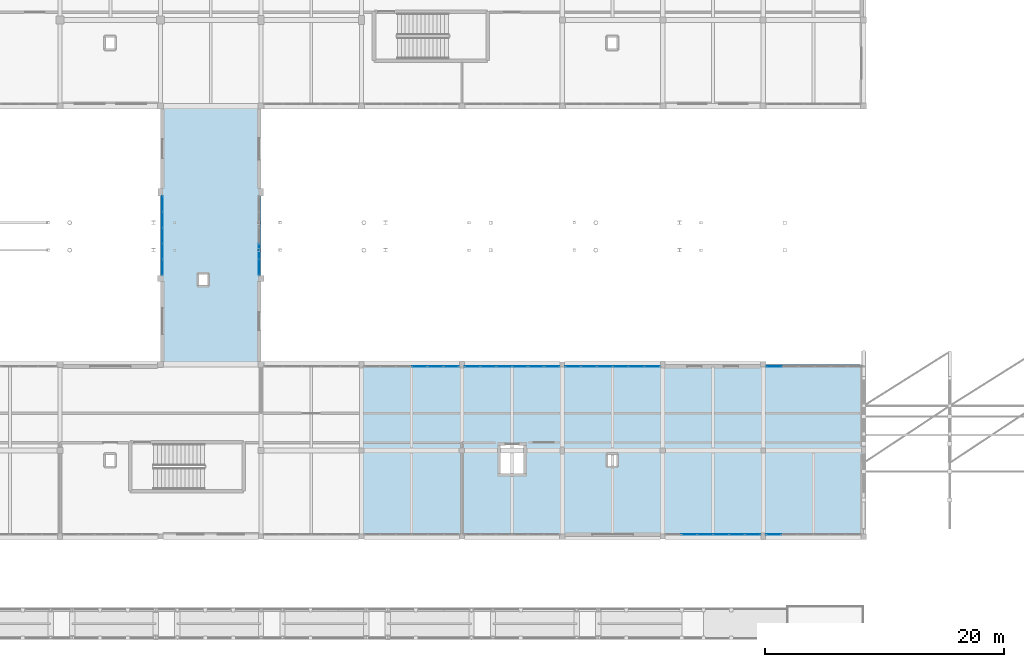
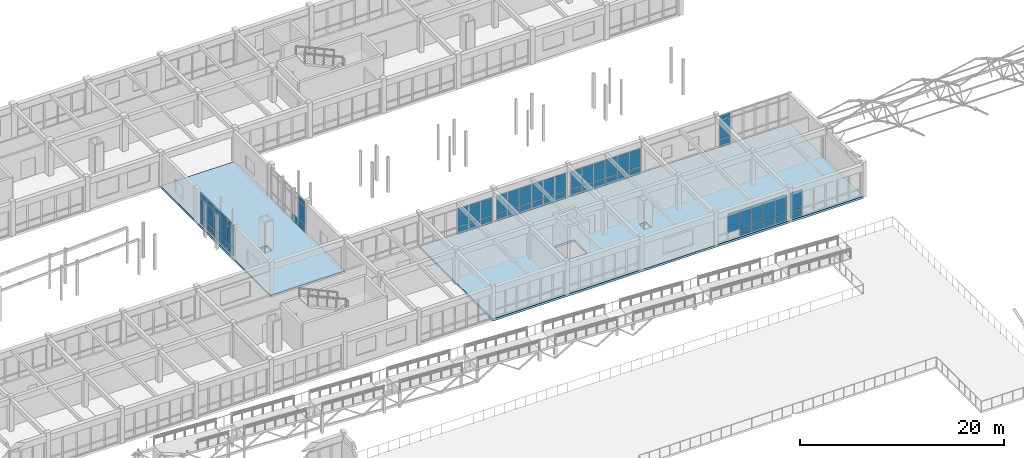
# One storey, part 66 of 89: 63 plates, 2 slabs, 8 elements without a shape of their own.
"""IFC4 building model written with IfcOpenShell, lengths in metres."""

from ifc_helpers import new_model, si_unit, direction, frame, origin, origin_2d, place, context, subcontext, project, spatial, polyline, rectangle, outline, extrude, material, layer, layer_set, type_object, element, aggregate, save


model = new_model("IFC4")

# Units and contexts
model_context = context("Model", 3, precision=1e-05, world=origin(), true_north=direction((0.0, 1.0)))
body_context = subcontext(model_context, "Body", "Model", "MODEL_VIEW")
ifc_project = project(units=[si_unit("LENGTHUNIT", "METRE"), si_unit("AREAUNIT", "SQUARE_METRE"), si_unit("VOLUMEUNIT", "CUBIC_METRE"), si_unit("PLANEANGLEUNIT", "RADIAN"), si_unit("MASSUNIT", "GRAM", prefix="KILO")], contexts=[model_context])

# Site, building, storey
site_placement = place(None, origin())
site = spatial("IfcSite", under=ifc_project, at=site_placement, CompositionType="ELEMENT")
building_placement = place(site_placement, origin())
building = spatial("IfcBuilding", under=site, at=building_placement, Name="Malvenik Polytechnic", CompositionType="ELEMENT")
storey_placement = place(building_placement, frame((0.0, 0.0, 13.5)))
storey = spatial("IfcBuildingStorey", under=building, at=storey_placement, Name="L03", CompositionType="ELEMENT", Elevation=13.5)

# Curtain wall, plates
ifc_material_1 = material(Name="Anodised aluminium 6060-T6", Category="aluminium")
curtain_wall_type_1 = type_object("IfcCurtainWallType", Name="ARC-CW-CW-04", PredefinedType="NOTDEFINED", material=ifc_material_1)
curtain_wall_1_placement = place(storey_placement, origin())
curtain_wall_1 = element("IfcCurtainWall", 1, at=curtain_wall_1_placement, inside=storey, type_object=curtain_wall_type_1, Name="Unitised Curtain Wall CW-04 L03 #167", PredefinedType="NOTDEFINED")
ifc_material_2 = material(Name="Insulated low-E double glazing 8-16-8", Category="glass")
ifc_layer_1 = layer(ifc_material_2, 0.028076171875)
ifc_layer_set_1 = layer_set([ifc_layer_1], Name="Insulated low-E double glazing 8-16-8")
plate_type_1 = type_object("IfcPlateType", Name="ARC-CWP-CP-GLZ28", PredefinedType="CURTAIN_PANEL", material=ifc_layer_set_1)
plate_1_placement = place(storey_placement, frame((75.77001953125, 101.728515625, 0.97998046875), z_axis=(0.0, 0.0, 1.0), x_axis=(0.0, 1.0, 0.0)))
plate_1 = element("IfcPlate", 2, at=plate_1_placement, type_object=plate_type_1, Name="CW-04 panel 1.2", PredefinedType="CURTAIN_PANEL", context=body_context, shape_type="SweptSolid", body=[
    extrude(rectangle(XDim=1.24072265625, YDim=0.028076171875, at=origin_2d()), origin(), (0.0, 0.0, 1.0), 2.199951171875),
])
plate_2_placement = place(storey_placement, frame((75.77001953125, 101.728515625, 3.239990234375), z_axis=(0.0, 0.0, 1.0), x_axis=(0.0, 1.0, 0.0)))
plate_2 = element("IfcPlate", 3, at=plate_2_placement, type_object=plate_type_1, Name="CW-04 panel 1.3", PredefinedType="CURTAIN_PANEL", context=body_context, shape_type="SweptSolid", body=[
    extrude(rectangle(XDim=1.24072265625, YDim=0.028076171875, at=origin_2d()), origin(), (0.0, 0.0, 1.0), 0.56005859375),
])
plate_3_placement = place(storey_placement, frame((75.77001953125, 103.044189453125, 0.97998046875), z_axis=(0.0, 0.0, 1.0), x_axis=(0.0, 1.0, 0.0)))
plate_3 = element("IfcPlate", 4, at=plate_3_placement, type_object=plate_type_1, Name="CW-04 panel 2.2", PredefinedType="CURTAIN_PANEL", context=body_context, shape_type="SweptSolid", body=[
    extrude(rectangle(XDim=1.270751953125, YDim=0.028076171875, at=origin_2d()), origin(), (0.0, 0.0, 1.0), 2.199951171875),
])
plate_4_placement = place(storey_placement, frame((75.77001953125, 103.044189453125, 3.239990234375), z_axis=(0.0, 0.0, 1.0), x_axis=(0.0, 1.0, 0.0)))
plate_4 = element("IfcPlate", 5, at=plate_4_placement, type_object=plate_type_1, Name="CW-04 panel 2.3", PredefinedType="CURTAIN_PANEL", context=body_context, shape_type="SweptSolid", body=[
    extrude(rectangle(XDim=1.270751953125, YDim=0.028076171875, at=origin_2d()), origin(), (0.0, 0.0, 1.0), 0.56005859375),
])
plate_5_placement = place(storey_placement, frame((75.77001953125, 104.375, 0.97998046875), z_axis=(0.0, 0.0, 1.0), x_axis=(0.0, 1.0, 0.0)))
plate_5 = element("IfcPlate", 6, at=plate_5_placement, type_object=plate_type_1, Name="CW-04 panel 3.2", PredefinedType="CURTAIN_PANEL", context=body_context, shape_type="SweptSolid", body=[
    extrude(rectangle(XDim=1.270751953125, YDim=0.028076171875, at=origin_2d()), origin(), (0.0, 0.0, 1.0), 2.199951171875),
])
plate_6_placement = place(storey_placement, frame((75.77001953125, 104.375, 3.239990234375), z_axis=(0.0, 0.0, 1.0), x_axis=(0.0, 1.0, 0.0)))
plate_6 = element("IfcPlate", 7, at=plate_6_placement, type_object=plate_type_1, Name="CW-04 panel 3.3", PredefinedType="CURTAIN_PANEL", context=body_context, shape_type="SweptSolid", body=[
    extrude(rectangle(XDim=1.270751953125, YDim=0.028076171875, at=origin_2d()), origin(), (0.0, 0.0, 1.0), 0.56005859375),
])
plate_7_placement = place(storey_placement, frame((75.77001953125, 105.705810546875, 0.97998046875), z_axis=(0.0, 0.0, 1.0), x_axis=(0.0, 1.0, 0.0)))
plate_7 = element("IfcPlate", 8, at=plate_7_placement, type_object=plate_type_1, Name="CW-04 panel 4.2", PredefinedType="CURTAIN_PANEL", context=body_context, shape_type="SweptSolid", body=[
    extrude(rectangle(XDim=1.270751953125, YDim=0.028076171875, at=origin_2d()), origin(), (0.0, 0.0, 1.0), 2.199951171875),
])
plate_8_placement = place(storey_placement, frame((75.77001953125, 105.705810546875, 3.239990234375), z_axis=(0.0, 0.0, 1.0), x_axis=(0.0, 1.0, 0.0)))
plate_8 = element("IfcPlate", 9, at=plate_8_placement, type_object=plate_type_1, Name="CW-04 panel 4.3", PredefinedType="CURTAIN_PANEL", context=body_context, shape_type="SweptSolid", body=[
    extrude(rectangle(XDim=1.270751953125, YDim=0.028076171875, at=origin_2d()), origin(), (0.0, 0.0, 1.0), 0.56005859375),
])
plate_9_placement = place(storey_placement, frame((75.77001953125, 107.021484375, 0.97998046875), z_axis=(0.0, 0.0, 1.0), x_axis=(0.0, 1.0, 0.0)))
plate_9 = element("IfcPlate", 10, at=plate_9_placement, type_object=plate_type_1, Name="CW-04 panel 5.2", PredefinedType="CURTAIN_PANEL", context=body_context, shape_type="SweptSolid", body=[
    extrude(rectangle(XDim=1.24072265625, YDim=0.028076171875, at=origin_2d()), origin(), (0.0, 0.0, 1.0), 2.199951171875),
])
plate_10_placement = place(storey_placement, frame((75.77001953125, 107.021484375, 3.239990234375), z_axis=(0.0, 0.0, 1.0), x_axis=(0.0, 1.0, 0.0)))
plate_10 = element("IfcPlate", 11, at=plate_10_placement, type_object=plate_type_1, Name="CW-04 panel 5.3", PredefinedType="CURTAIN_PANEL", context=body_context, shape_type="SweptSolid", body=[
    extrude(rectangle(XDim=1.24072265625, YDim=0.028076171875, at=origin_2d()), origin(), (0.0, 0.0, 1.0), 0.56005859375),
])

curtain_wall_2_placement = place(storey_placement, origin())
curtain_wall_2 = element("IfcCurtainWall", 12, at=curtain_wall_2_placement, inside=storey, type_object=curtain_wall_type_1, Name="Unitised Curtain Wall CW-04 L03 #187", PredefinedType="NOTDEFINED")
plate_11_placement = place(storey_placement, frame((83.830078125, 101.728515625, 0.97998046875), z_axis=(0.0, 0.0, 1.0), x_axis=(0.0, -1.0, 0.0)))
plate_11 = element("IfcPlate", 13, at=plate_11_placement, type_object=plate_type_1, Name="CW-04 panel 5.2", PredefinedType="CURTAIN_PANEL", context=body_context, shape_type="SweptSolid", body=[
    extrude(rectangle(XDim=1.24072265625, YDim=0.028076171875, at=origin_2d()), origin(), (0.0, 0.0, 1.0), 2.199951171875),
])
plate_12_placement = place(storey_placement, frame((83.830078125, 101.728515625, 3.239990234375), z_axis=(0.0, 0.0, 1.0), x_axis=(0.0, -1.0, 0.0)))
plate_12 = element("IfcPlate", 14, at=plate_12_placement, type_object=plate_type_1, Name="CW-04 panel 5.3", PredefinedType="CURTAIN_PANEL", context=body_context, shape_type="SweptSolid", body=[
    extrude(rectangle(XDim=1.24072265625, YDim=0.028076171875, at=origin_2d()), origin(), (0.0, 0.0, 1.0), 0.56005859375),
])

curtain_wall_type_2 = type_object("IfcCurtainWallType", Name="ARC-CW-CW-02", PredefinedType="NOTDEFINED", material=ifc_material_1)
curtain_wall_3_placement = place(storey_placement, origin())
curtain_wall_3 = element("IfcCurtainWall", 15, at=curtain_wall_3_placement, inside=storey, type_object=curtain_wall_type_2, Name="Unitised Curtain Wall CW-02 L03 #189", PredefinedType="NOTDEFINED")
plate_13_placement = place(storey_placement, frame((97.26708984375, 93.429931640625, 0.929931640625), z_axis=(0.0, 0.0, 1.0), x_axis=(1.0, 0.0, 0.0)))
plate_13 = element("IfcPlate", 16, at=plate_13_placement, type_object=plate_type_1, Name="CW-02 panel 4.2", PredefinedType="CURTAIN_PANEL", context=body_context, shape_type="SweptSolid", body=[
    extrude(rectangle(XDim=1.27392578125, YDim=0.028076171875, at=origin_2d()), origin(), (0.0, 0.0, 1.0), 2.169921875),
])
plate_14_placement = place(storey_placement, frame((98.60107421875, 93.429931640625, 0.929931640625), z_axis=(0.0, 0.0, 1.0), x_axis=(1.0, 0.0, 0.0)))
plate_14 = element("IfcPlate", 17, at=plate_14_placement, type_object=plate_type_1, Name="CW-02 panel 5.2", PredefinedType="CURTAIN_PANEL", context=body_context, shape_type="SweptSolid", body=[
    extrude(rectangle(XDim=1.27392578125, YDim=0.028076171875, at=origin_2d()), origin(), (0.0, 0.0, 1.0), 2.169921875),
])
plate_15_placement = place(storey_placement, frame((99.919921875, 93.429931640625, 0.929931640625), z_axis=(0.0, 0.0, 1.0), x_axis=(1.0, 0.0, 0.0)))
plate_15 = element("IfcPlate", 18, at=plate_15_placement, type_object=plate_type_1, Name="CW-02 panel 6.2", PredefinedType="CURTAIN_PANEL", context=body_context, shape_type="SweptSolid", body=[
    extrude(rectangle(XDim=1.243896484375, YDim=0.028076171875, at=origin_2d()), origin(), (0.0, 0.0, 1.0), 2.169921875),
])

curtain_wall_4_placement = place(storey_placement, origin())
curtain_wall_4 = element("IfcCurtainWall", 19, at=curtain_wall_4_placement, inside=storey, type_object=curtain_wall_type_2, Name="Unitised Curtain Wall CW-02 L03 #190", PredefinedType="NOTDEFINED")
plate_16_placement = place(storey_placement, frame((101.679931640625, 93.429931640625, 0.929931640625), z_axis=(0.0, 0.0, 1.0), x_axis=(1.0, 0.0, 0.0)))
plate_16 = element("IfcPlate", 20, at=plate_16_placement, type_object=plate_type_1, Name="CW-02 panel 1.2", PredefinedType="CURTAIN_PANEL", context=body_context, shape_type="SweptSolid", body=[
    extrude(rectangle(XDim=1.243896484375, YDim=0.028076171875, at=origin_2d()), origin(), (0.0, 0.0, 1.0), 2.169921875),
])
plate_17_placement = place(storey_placement, frame((102.9990234375, 93.429931640625, 0.929931640625), z_axis=(0.0, 0.0, 1.0), x_axis=(1.0, 0.0, 0.0)))
plate_17 = element("IfcPlate", 21, at=plate_17_placement, type_object=plate_type_1, Name="CW-02 panel 2.2", PredefinedType="CURTAIN_PANEL", context=body_context, shape_type="SweptSolid", body=[
    extrude(rectangle(XDim=1.27392578125, YDim=0.028076171875, at=origin_2d()), origin(), (0.0, 0.0, 1.0), 2.169921875),
])
plate_18_placement = place(storey_placement, frame((104.3330078125, 93.429931640625, 0.929931640625), z_axis=(0.0, 0.0, 1.0), x_axis=(1.0, 0.0, 0.0)))
plate_18 = element("IfcPlate", 22, at=plate_18_placement, type_object=plate_type_1, Name="CW-02 panel 3.2", PredefinedType="CURTAIN_PANEL", context=body_context, shape_type="SweptSolid", body=[
    extrude(rectangle(XDim=1.27392578125, YDim=0.028076171875, at=origin_2d()), origin(), (0.0, 0.0, 1.0), 2.169921875),
])
plate_19_placement = place(storey_placement, frame((105.6669921875, 93.429931640625, 0.929931640625), z_axis=(0.0, 0.0, 1.0), x_axis=(1.0, 0.0, 0.0)))
plate_19 = element("IfcPlate", 23, at=plate_19_placement, type_object=plate_type_1, Name="CW-02 panel 4.2", PredefinedType="CURTAIN_PANEL", context=body_context, shape_type="SweptSolid", body=[
    extrude(rectangle(XDim=1.27392578125, YDim=0.028076171875, at=origin_2d()), origin(), (0.0, 0.0, 1.0), 2.169921875),
])
plate_20_placement = place(storey_placement, frame((107.0009765625, 93.429931640625, 0.929931640625), z_axis=(0.0, 0.0, 1.0), x_axis=(1.0, 0.0, 0.0)))
plate_20 = element("IfcPlate", 24, at=plate_20_placement, type_object=plate_type_1, Name="CW-02 panel 5.2", PredefinedType="CURTAIN_PANEL", context=body_context, shape_type="SweptSolid", body=[
    extrude(rectangle(XDim=1.27392578125, YDim=0.028076171875, at=origin_2d()), origin(), (0.0, 0.0, 1.0), 2.169921875),
])
plate_21_placement = place(storey_placement, frame((108.320068359375, 93.429931640625, 0.929931640625), z_axis=(0.0, 0.0, 1.0), x_axis=(1.0, 0.0, 0.0)))
plate_21 = element("IfcPlate", 25, at=plate_21_placement, type_object=plate_type_1, Name="CW-02 panel 6.2", PredefinedType="CURTAIN_PANEL", context=body_context, shape_type="SweptSolid", body=[
    extrude(rectangle(XDim=1.243896484375, YDim=0.028076171875, at=origin_2d()), origin(), (0.0, 0.0, 1.0), 2.169921875),
])

curtain_wall_5_placement = place(storey_placement, origin())
curtain_wall_5 = element("IfcCurtainWall", 26, at=curtain_wall_5_placement, inside=storey, type_object=curtain_wall_type_2, Name="Unitised Curtain Wall CW-02 L03 #191", PredefinedType="NOTDEFINED")
plate_22_placement = place(storey_placement, frame((110.080078125, 93.429931640625, 0.929931640625), z_axis=(0.0, 0.0, 1.0), x_axis=(1.0, 0.0, 0.0)))
plate_22 = element("IfcPlate", 27, at=plate_22_placement, type_object=plate_type_1, Name="CW-02 panel 1.2", PredefinedType="CURTAIN_PANEL", context=body_context, shape_type="SweptSolid", body=[
    extrude(rectangle(XDim=1.243896484375, YDim=0.028076171875, at=origin_2d()), origin(), (0.0, 0.0, 1.0), 2.169921875),
])
plate_23_placement = place(storey_placement, frame((111.39892578125, 93.429931640625, 0.929931640625), z_axis=(0.0, 0.0, 1.0), x_axis=(1.0, 0.0, 0.0)))
plate_23 = element("IfcPlate", 28, at=plate_23_placement, type_object=plate_type_1, Name="CW-02 panel 2.2", PredefinedType="CURTAIN_PANEL", context=body_context, shape_type="SweptSolid", body=[
    extrude(rectangle(XDim=1.27392578125, YDim=0.028076171875, at=origin_2d()), origin(), (0.0, 0.0, 1.0), 2.169921875),
])
plate_24_placement = place(storey_placement, frame((112.73291015625, 93.429931640625, 0.929931640625), z_axis=(0.0, 0.0, 1.0), x_axis=(1.0, 0.0, 0.0)))
plate_24 = element("IfcPlate", 29, at=plate_24_placement, type_object=plate_type_1, Name="CW-02 panel 3.2", PredefinedType="CURTAIN_PANEL", context=body_context, shape_type="SweptSolid", body=[
    extrude(rectangle(XDim=1.27392578125, YDim=0.028076171875, at=origin_2d()), origin(), (0.0, 0.0, 1.0), 2.169921875),
])
plate_25_placement = place(storey_placement, frame((114.06689453125, 93.429931640625, 0.929931640625), z_axis=(0.0, 0.0, 1.0), x_axis=(1.0, 0.0, 0.0)))
plate_25 = element("IfcPlate", 30, at=plate_25_placement, type_object=plate_type_1, Name="CW-02 panel 4.2", PredefinedType="CURTAIN_PANEL", context=body_context, shape_type="SweptSolid", body=[
    extrude(rectangle(XDim=1.27392578125, YDim=0.028076171875, at=origin_2d()), origin(), (0.0, 0.0, 1.0), 2.169921875),
])
plate_26_placement = place(storey_placement, frame((115.40087890625, 93.429931640625, 0.929931640625), z_axis=(0.0, 0.0, 1.0), x_axis=(1.0, 0.0, 0.0)))
plate_26 = element("IfcPlate", 31, at=plate_26_placement, type_object=plate_type_1, Name="CW-02 panel 5.2", PredefinedType="CURTAIN_PANEL", context=body_context, shape_type="SweptSolid", body=[
    extrude(rectangle(XDim=1.27392578125, YDim=0.028076171875, at=origin_2d()), origin(), (0.0, 0.0, 1.0), 2.169921875),
])
plate_27_placement = place(storey_placement, frame((116.719970703125, 93.429931640625, 0.929931640625), z_axis=(0.0, 0.0, 1.0), x_axis=(1.0, 0.0, 0.0)))
plate_27 = element("IfcPlate", 32, at=plate_27_placement, type_object=plate_type_1, Name="CW-02 panel 6.2", PredefinedType="CURTAIN_PANEL", context=body_context, shape_type="SweptSolid", body=[
    extrude(rectangle(XDim=1.243896484375, YDim=0.028076171875, at=origin_2d()), origin(), (0.0, 0.0, 1.0), 2.169921875),
])

curtain_wall_type_3 = type_object("IfcCurtainWallType", Name="ARC-CW-CW-01", PredefinedType="NOTDEFINED", material=ifc_material_1)
curtain_wall_6_placement = place(storey_placement, origin())
curtain_wall_6 = element("IfcCurtainWall", 33, at=curtain_wall_6_placement, inside=storey, type_object=curtain_wall_type_3, Name="Unitised Curtain Wall CW-01 L03 #192", PredefinedType="NOTDEFINED")
plate_28_placement = place(storey_placement, frame((126.91943359375, 93.429931640625, 0.97998046875), z_axis=(0.0, 0.0, 1.0), x_axis=(1.0, 0.0, 0.0)))
plate_28 = element("IfcPlate", 34, at=plate_28_placement, type_object=plate_type_1, Name="CW-01 panel 1.2", PredefinedType="CURTAIN_PANEL", context=body_context, shape_type="SweptSolid", body=[
    extrude(rectangle(XDim=1.27294921875, YDim=0.028076171875, at=origin_2d()), origin(), (0.0, 0.0, 1.0), 2.199951171875),
])
plate_29_placement = place(storey_placement, frame((126.91943359375, 93.429931640625, 3.239990234375), z_axis=(0.0, 0.0, 1.0), x_axis=(1.0, 0.0, 0.0)))
plate_29 = element("IfcPlate", 35, at=plate_29_placement, type_object=plate_type_1, Name="CW-01 panel 1.3", PredefinedType="CURTAIN_PANEL", context=body_context, shape_type="SweptSolid", body=[
    extrude(rectangle(XDim=1.27294921875, YDim=0.028076171875, at=origin_2d()), origin(), (0.0, 0.0, 1.0), 0.56005859375),
])

# Curtain wall, plate
curtain_wall_7_placement = place(storey_placement, origin())
curtain_wall_7 = element("IfcCurtainWall", 36, at=curtain_wall_7_placement, inside=storey, type_object=curtain_wall_type_2, Name="Unitised Curtain Wall CW-02 L03 #193", PredefinedType="NOTDEFINED")
plate_30_placement = place(storey_placement, frame((126.8779296875, 79.3701171875, 0.929931640625), z_axis=(0.0, 0.0, 1.0), x_axis=(-1.0, 0.0, 0.0)))
plate_30 = element("IfcPlate", 37, at=plate_30_placement, type_object=plate_type_1, Name="CW-02 panel 6.2", PredefinedType="CURTAIN_PANEL", context=body_context, shape_type="SweptSolid", body=[
    extrude(rectangle(XDim=1.23974609375, YDim=0.028076171875, at=origin_2d()), origin(), (0.0, 0.0, 1.0), 2.169921875),
])

# Curtain wall, plates
curtain_wall_8_placement = place(storey_placement, origin())
curtain_wall_8 = element("IfcCurtainWall", 38, at=curtain_wall_8_placement, inside=storey, type_object=curtain_wall_type_2, Name="Unitised Curtain Wall CW-02 L03 #194", PredefinedType="NOTDEFINED")
plate_31_placement = place(storey_placement, frame((125.1201171875, 79.3701171875, 0.929931640625), z_axis=(0.0, 0.0, 1.0), x_axis=(-1.0, 0.0, 0.0)))
plate_31 = element("IfcPlate", 39, at=plate_31_placement, type_object=plate_type_1, Name="CW-02 panel 1.2", PredefinedType="CURTAIN_PANEL", context=body_context, shape_type="SweptSolid", body=[
    extrude(rectangle(XDim=1.243896484375, YDim=0.028076171875, at=origin_2d()), origin(), (0.0, 0.0, 1.0), 2.169921875),
])
plate_32_placement = place(storey_placement, frame((123.801025390625, 79.3701171875, 0.929931640625), z_axis=(0.0, 0.0, 1.0), x_axis=(-1.0, 0.0, 0.0)))
plate_32 = element("IfcPlate", 40, at=plate_32_placement, type_object=plate_type_1, Name="CW-02 panel 2.2", PredefinedType="CURTAIN_PANEL", context=body_context, shape_type="SweptSolid", body=[
    extrude(rectangle(XDim=1.27392578125, YDim=0.028076171875, at=origin_2d()), origin(), (0.0, 0.0, 1.0), 2.169921875),
])
plate_33_placement = place(storey_placement, frame((122.467041015625, 79.3701171875, 0.929931640625), z_axis=(0.0, 0.0, 1.0), x_axis=(-1.0, 0.0, 0.0)))
plate_33 = element("IfcPlate", 41, at=plate_33_placement, type_object=plate_type_1, Name="CW-02 panel 3.2", PredefinedType="CURTAIN_PANEL", context=body_context, shape_type="SweptSolid", body=[
    extrude(rectangle(XDim=1.27392578125, YDim=0.028076171875, at=origin_2d()), origin(), (0.0, 0.0, 1.0), 2.169921875),
])
plate_34_placement = place(storey_placement, frame((121.133056640625, 79.3701171875, 0.929931640625), z_axis=(0.0, 0.0, 1.0), x_axis=(-1.0, 0.0, 0.0)))
plate_34 = element("IfcPlate", 42, at=plate_34_placement, type_object=plate_type_1, Name="CW-02 panel 4.2", PredefinedType="CURTAIN_PANEL", context=body_context, shape_type="SweptSolid", body=[
    extrude(rectangle(XDim=1.27392578125, YDim=0.028076171875, at=origin_2d()), origin(), (0.0, 0.0, 1.0), 2.169921875),
])
plate_35_placement = place(storey_placement, frame((119.799072265625, 79.3701171875, 0.929931640625), z_axis=(0.0, 0.0, 1.0), x_axis=(-1.0, 0.0, 0.0)))
plate_35 = element("IfcPlate", 43, at=plate_35_placement, type_object=plate_type_1, Name="CW-02 panel 5.2", PredefinedType="CURTAIN_PANEL", context=body_context, shape_type="SweptSolid", body=[
    extrude(rectangle(XDim=1.27392578125, YDim=0.028076171875, at=origin_2d()), origin(), (0.0, 0.0, 1.0), 2.169921875),
])

# Plate
ifc_material_3 = material(Name="Insulated aluminium spandrel cassette 42mm", Category="aluminium")
ifc_layer_2 = layer(ifc_material_3, 0.0419921875)
ifc_layer_set_2 = layer_set([ifc_layer_2], Name="Insulated aluminium spandrel cassette 42mm")
plate_type_2 = type_object("IfcPlateType", Name="ARC-CWP-CP-SPN42", PredefinedType="CURTAIN_PANEL", material=ifc_layer_set_2)
plate_36_placement = place(storey_placement, frame((75.77001953125, 101.728515625, 0.06005859375), z_axis=(0.0, 0.0, 1.0), x_axis=(0.0, 1.0, 0.0)))
plate_36 = element("IfcPlate", 44, at=plate_36_placement, type_object=plate_type_2, Name="CW-04 panel 1.1", PredefinedType="CURTAIN_PANEL", context=body_context, shape_type="SweptSolid", body=[
    extrude(rectangle(XDim=1.24072265625, YDim=0.028076171875, at=origin_2d()), origin(), (0.0, 0.0, 1.0), 0.860107421875),
])

plate_37_placement = place(storey_placement, frame((75.77001953125, 103.044189453125, 0.06005859375), z_axis=(0.0, 0.0, 1.0), x_axis=(0.0, 1.0, 0.0)))
plate_37 = element("IfcPlate", 45, at=plate_37_placement, type_object=plate_type_2, Name="CW-04 panel 2.1", PredefinedType="CURTAIN_PANEL", context=body_context, shape_type="SweptSolid", body=[
    extrude(rectangle(XDim=1.270751953125, YDim=0.028076171875, at=origin_2d()), origin(), (0.0, 0.0, 1.0), 0.860107421875),
])

plate_38_placement = place(storey_placement, frame((75.77001953125, 104.375, 0.06005859375), z_axis=(0.0, 0.0, 1.0), x_axis=(0.0, 1.0, 0.0)))
plate_38 = element("IfcPlate", 46, at=plate_38_placement, type_object=plate_type_2, Name="CW-04 panel 3.1", PredefinedType="CURTAIN_PANEL", context=body_context, shape_type="SweptSolid", body=[
    extrude(rectangle(XDim=1.270751953125, YDim=0.028076171875, at=origin_2d()), origin(), (0.0, 0.0, 1.0), 0.860107421875),
])

plate_39_placement = place(storey_placement, frame((75.77001953125, 105.705810546875, 0.06005859375), z_axis=(0.0, 0.0, 1.0), x_axis=(0.0, 1.0, 0.0)))
plate_39 = element("IfcPlate", 47, at=plate_39_placement, type_object=plate_type_2, Name="CW-04 panel 4.1", PredefinedType="CURTAIN_PANEL", context=body_context, shape_type="SweptSolid", body=[
    extrude(rectangle(XDim=1.270751953125, YDim=0.028076171875, at=origin_2d()), origin(), (0.0, 0.0, 1.0), 0.860107421875),
])

plate_40_placement = place(storey_placement, frame((75.77001953125, 107.021484375, 0.06005859375), z_axis=(0.0, 0.0, 1.0), x_axis=(0.0, 1.0, 0.0)))
plate_40 = element("IfcPlate", 48, at=plate_40_placement, type_object=plate_type_2, Name="CW-04 panel 5.1", PredefinedType="CURTAIN_PANEL", context=body_context, shape_type="SweptSolid", body=[
    extrude(rectangle(XDim=1.24072265625, YDim=0.028076171875, at=origin_2d()), origin(), (0.0, 0.0, 1.0), 0.860107421875),
])

aggregate(curtain_wall_1, [plate_36, plate_1, plate_2, plate_37, plate_3, plate_4, plate_38, plate_5, plate_6, plate_39, plate_7, plate_8, plate_40, plate_9, plate_10])

plate_41_placement = place(storey_placement, frame((83.830078125, 103.044189453125, 0.06005859375), z_axis=(0.0, 0.0, 1.0), x_axis=(0.0, -1.0, 0.0)))
plate_41 = element("IfcPlate", 49, at=plate_41_placement, type_object=plate_type_2, Name="CW-04 panel 4.1", PredefinedType="CURTAIN_PANEL", context=body_context, shape_type="SweptSolid", body=[
    extrude(rectangle(XDim=1.270751953125, YDim=0.028076171875, at=origin_2d()), origin(), (0.0, 0.0, 1.0), 0.860107421875),
])

plate_42_placement = place(storey_placement, frame((83.830078125, 101.728515625, 0.06005859375), z_axis=(0.0, 0.0, 1.0), x_axis=(0.0, -1.0, 0.0)))
plate_42 = element("IfcPlate", 50, at=plate_42_placement, type_object=plate_type_2, Name="CW-04 panel 5.1", PredefinedType="CURTAIN_PANEL", context=body_context, shape_type="SweptSolid", body=[
    extrude(rectangle(XDim=1.24072265625, YDim=0.028076171875, at=origin_2d()), origin(), (0.0, 0.0, 1.0), 0.860107421875),
])

aggregate(curtain_wall_2, [plate_41, plate_42, plate_11, plate_12])

plate_43_placement = place(storey_placement, frame((97.26708984375, 93.429931640625, 0.06005859375), z_axis=(0.0, 0.0, 1.0), x_axis=(1.0, 0.0, 0.0)))
plate_43 = element("IfcPlate", 51, at=plate_43_placement, type_object=plate_type_2, Name="CW-02 panel 4.1", PredefinedType="CURTAIN_PANEL", context=body_context, shape_type="SweptSolid", body=[
    extrude(rectangle(XDim=1.27392578125, YDim=0.028076171875, at=origin_2d()), origin(), (0.0, 0.0, 1.0), 0.81005859375),
])

plate_44_placement = place(storey_placement, frame((98.60107421875, 93.429931640625, 0.06005859375), z_axis=(0.0, 0.0, 1.0), x_axis=(1.0, 0.0, 0.0)))
plate_44 = element("IfcPlate", 52, at=plate_44_placement, type_object=plate_type_2, Name="CW-02 panel 5.1", PredefinedType="CURTAIN_PANEL", context=body_context, shape_type="SweptSolid", body=[
    extrude(rectangle(XDim=1.27392578125, YDim=0.028076171875, at=origin_2d()), origin(), (0.0, 0.0, 1.0), 0.81005859375),
])

plate_45_placement = place(storey_placement, frame((99.919921875, 93.429931640625, 0.06005859375), z_axis=(0.0, 0.0, 1.0), x_axis=(1.0, 0.0, 0.0)))
plate_45 = element("IfcPlate", 53, at=plate_45_placement, type_object=plate_type_2, Name="CW-02 panel 6.1", PredefinedType="CURTAIN_PANEL", context=body_context, shape_type="SweptSolid", body=[
    extrude(rectangle(XDim=1.243896484375, YDim=0.028076171875, at=origin_2d()), origin(), (0.0, 0.0, 1.0), 0.81005859375),
])

aggregate(curtain_wall_3, [plate_43, plate_13, plate_44, plate_14, plate_45, plate_15])

plate_46_placement = place(storey_placement, frame((101.679931640625, 93.429931640625, 0.06005859375), z_axis=(0.0, 0.0, 1.0), x_axis=(1.0, 0.0, 0.0)))
plate_46 = element("IfcPlate", 54, at=plate_46_placement, type_object=plate_type_2, Name="CW-02 panel 1.1", PredefinedType="CURTAIN_PANEL", context=body_context, shape_type="SweptSolid", body=[
    extrude(rectangle(XDim=1.243896484375, YDim=0.028076171875, at=origin_2d()), origin(), (0.0, 0.0, 1.0), 0.81005859375),
])

plate_47_placement = place(storey_placement, frame((102.9990234375, 93.429931640625, 0.06005859375), z_axis=(0.0, 0.0, 1.0), x_axis=(1.0, 0.0, 0.0)))
plate_47 = element("IfcPlate", 55, at=plate_47_placement, type_object=plate_type_2, Name="CW-02 panel 2.1", PredefinedType="CURTAIN_PANEL", context=body_context, shape_type="SweptSolid", body=[
    extrude(rectangle(XDim=1.27392578125, YDim=0.028076171875, at=origin_2d()), origin(), (0.0, 0.0, 1.0), 0.81005859375),
])

plate_48_placement = place(storey_placement, frame((104.3330078125, 93.429931640625, 0.06005859375), z_axis=(0.0, 0.0, 1.0), x_axis=(1.0, 0.0, 0.0)))
plate_48 = element("IfcPlate", 56, at=plate_48_placement, type_object=plate_type_2, Name="CW-02 panel 3.1", PredefinedType="CURTAIN_PANEL", context=body_context, shape_type="SweptSolid", body=[
    extrude(rectangle(XDim=1.27392578125, YDim=0.028076171875, at=origin_2d()), origin(), (0.0, 0.0, 1.0), 0.81005859375),
])

plate_49_placement = place(storey_placement, frame((105.6669921875, 93.429931640625, 0.06005859375), z_axis=(0.0, 0.0, 1.0), x_axis=(1.0, 0.0, 0.0)))
plate_49 = element("IfcPlate", 57, at=plate_49_placement, type_object=plate_type_2, Name="CW-02 panel 4.1", PredefinedType="CURTAIN_PANEL", context=body_context, shape_type="SweptSolid", body=[
    extrude(rectangle(XDim=1.27392578125, YDim=0.028076171875, at=origin_2d()), origin(), (0.0, 0.0, 1.0), 0.81005859375),
])

plate_50_placement = place(storey_placement, frame((107.0009765625, 93.429931640625, 0.06005859375), z_axis=(0.0, 0.0, 1.0), x_axis=(1.0, 0.0, 0.0)))
plate_50 = element("IfcPlate", 58, at=plate_50_placement, type_object=plate_type_2, Name="CW-02 panel 5.1", PredefinedType="CURTAIN_PANEL", context=body_context, shape_type="SweptSolid", body=[
    extrude(rectangle(XDim=1.27392578125, YDim=0.028076171875, at=origin_2d()), origin(), (0.0, 0.0, 1.0), 0.81005859375),
])

plate_51_placement = place(storey_placement, frame((108.320068359375, 93.429931640625, 0.06005859375), z_axis=(0.0, 0.0, 1.0), x_axis=(1.0, 0.0, 0.0)))
plate_51 = element("IfcPlate", 59, at=plate_51_placement, type_object=plate_type_2, Name="CW-02 panel 6.1", PredefinedType="CURTAIN_PANEL", context=body_context, shape_type="SweptSolid", body=[
    extrude(rectangle(XDim=1.243896484375, YDim=0.028076171875, at=origin_2d()), origin(), (0.0, 0.0, 1.0), 0.81005859375),
])

aggregate(curtain_wall_4, [plate_46, plate_16, plate_47, plate_17, plate_48, plate_18, plate_49, plate_19, plate_50, plate_20, plate_51, plate_21])

plate_52_placement = place(storey_placement, frame((110.080078125, 93.429931640625, 0.06005859375), z_axis=(0.0, 0.0, 1.0), x_axis=(1.0, 0.0, 0.0)))
plate_52 = element("IfcPlate", 60, at=plate_52_placement, type_object=plate_type_2, Name="CW-02 panel 1.1", PredefinedType="CURTAIN_PANEL", context=body_context, shape_type="SweptSolid", body=[
    extrude(rectangle(XDim=1.243896484375, YDim=0.028076171875, at=origin_2d()), origin(), (0.0, 0.0, 1.0), 0.81005859375),
])

plate_53_placement = place(storey_placement, frame((111.39892578125, 93.429931640625, 0.06005859375), z_axis=(0.0, 0.0, 1.0), x_axis=(1.0, 0.0, 0.0)))
plate_53 = element("IfcPlate", 61, at=plate_53_placement, type_object=plate_type_2, Name="CW-02 panel 2.1", PredefinedType="CURTAIN_PANEL", context=body_context, shape_type="SweptSolid", body=[
    extrude(rectangle(XDim=1.27392578125, YDim=0.028076171875, at=origin_2d()), origin(), (0.0, 0.0, 1.0), 0.81005859375),
])

plate_54_placement = place(storey_placement, frame((112.73291015625, 93.429931640625, 0.06005859375), z_axis=(0.0, 0.0, 1.0), x_axis=(1.0, 0.0, 0.0)))
plate_54 = element("IfcPlate", 62, at=plate_54_placement, type_object=plate_type_2, Name="CW-02 panel 3.1", PredefinedType="CURTAIN_PANEL", context=body_context, shape_type="SweptSolid", body=[
    extrude(rectangle(XDim=1.27392578125, YDim=0.028076171875, at=origin_2d()), origin(), (0.0, 0.0, 1.0), 0.81005859375),
])

plate_55_placement = place(storey_placement, frame((114.06689453125, 93.429931640625, 0.06005859375), z_axis=(0.0, 0.0, 1.0), x_axis=(1.0, 0.0, 0.0)))
plate_55 = element("IfcPlate", 63, at=plate_55_placement, type_object=plate_type_2, Name="CW-02 panel 4.1", PredefinedType="CURTAIN_PANEL", context=body_context, shape_type="SweptSolid", body=[
    extrude(rectangle(XDim=1.27392578125, YDim=0.028076171875, at=origin_2d()), origin(), (0.0, 0.0, 1.0), 0.81005859375),
])

plate_56_placement = place(storey_placement, frame((115.40087890625, 93.429931640625, 0.06005859375), z_axis=(0.0, 0.0, 1.0), x_axis=(1.0, 0.0, 0.0)))
plate_56 = element("IfcPlate", 64, at=plate_56_placement, type_object=plate_type_2, Name="CW-02 panel 5.1", PredefinedType="CURTAIN_PANEL", context=body_context, shape_type="SweptSolid", body=[
    extrude(rectangle(XDim=1.27392578125, YDim=0.028076171875, at=origin_2d()), origin(), (0.0, 0.0, 1.0), 0.81005859375),
])

plate_57_placement = place(storey_placement, frame((116.719970703125, 93.429931640625, 0.06005859375), z_axis=(0.0, 0.0, 1.0), x_axis=(1.0, 0.0, 0.0)))
plate_57 = element("IfcPlate", 65, at=plate_57_placement, type_object=plate_type_2, Name="CW-02 panel 6.1", PredefinedType="CURTAIN_PANEL", context=body_context, shape_type="SweptSolid", body=[
    extrude(rectangle(XDim=1.243896484375, YDim=0.028076171875, at=origin_2d()), origin(), (0.0, 0.0, 1.0), 0.81005859375),
])

aggregate(curtain_wall_5, [plate_52, plate_22, plate_53, plate_23, plate_54, plate_24, plate_55, plate_25, plate_56, plate_26, plate_57, plate_27])

plate_58_placement = place(storey_placement, frame((126.91943359375, 93.429931640625, 0.06005859375), z_axis=(0.0, 0.0, 1.0), x_axis=(1.0, 0.0, 0.0)))
plate_58 = element("IfcPlate", 66, at=plate_58_placement, type_object=plate_type_2, Name="CW-01 panel 1.1", PredefinedType="CURTAIN_PANEL", context=body_context, shape_type="SweptSolid", body=[
    extrude(rectangle(XDim=1.27294921875, YDim=0.028076171875, at=origin_2d()), origin(), (0.0, 0.0, 1.0), 0.860107421875),
])

aggregate(curtain_wall_6, [plate_58, plate_28, plate_29])

plate_59_placement = place(storey_placement, frame((126.8779296875, 79.3701171875, 0.06005859375), z_axis=(0.0, 0.0, 1.0), x_axis=(-1.0, 0.0, 0.0)))
plate_59 = element("IfcPlate", 67, at=plate_59_placement, type_object=plate_type_2, Name="CW-02 panel 6.1", PredefinedType="CURTAIN_PANEL", context=body_context, shape_type="SweptSolid", body=[
    extrude(rectangle(XDim=1.23974609375, YDim=0.028076171875, at=origin_2d()), origin(), (0.0, 0.0, 1.0), 0.81005859375),
])

aggregate(curtain_wall_7, [plate_59, plate_30])

plate_60_placement = place(storey_placement, frame((125.1201171875, 79.3701171875, 0.06005859375), z_axis=(0.0, 0.0, 1.0), x_axis=(-1.0, 0.0, 0.0)))
plate_60 = element("IfcPlate", 68, at=plate_60_placement, type_object=plate_type_2, Name="CW-02 panel 1.1", PredefinedType="CURTAIN_PANEL", context=body_context, shape_type="SweptSolid", body=[
    extrude(rectangle(XDim=1.243896484375, YDim=0.028076171875, at=origin_2d()), origin(), (0.0, 0.0, 1.0), 0.81005859375),
])

plate_61_placement = place(storey_placement, frame((123.801025390625, 79.3701171875, 0.06005859375), z_axis=(0.0, 0.0, 1.0), x_axis=(-1.0, 0.0, 0.0)))
plate_61 = element("IfcPlate", 69, at=plate_61_placement, type_object=plate_type_2, Name="CW-02 panel 2.1", PredefinedType="CURTAIN_PANEL", context=body_context, shape_type="SweptSolid", body=[
    extrude(rectangle(XDim=1.27392578125, YDim=0.028076171875, at=origin_2d()), origin(), (0.0, 0.0, 1.0), 0.81005859375),
])

plate_62_placement = place(storey_placement, frame((122.467041015625, 79.3701171875, 0.06005859375), z_axis=(0.0, 0.0, 1.0), x_axis=(-1.0, 0.0, 0.0)))
plate_62 = element("IfcPlate", 70, at=plate_62_placement, type_object=plate_type_2, Name="CW-02 panel 3.1", PredefinedType="CURTAIN_PANEL", context=body_context, shape_type="SweptSolid", body=[
    extrude(rectangle(XDim=1.27392578125, YDim=0.028076171875, at=origin_2d()), origin(), (0.0, 0.0, 1.0), 0.81005859375),
])

plate_63_placement = place(storey_placement, frame((121.133056640625, 79.3701171875, 0.06005859375), z_axis=(0.0, 0.0, 1.0), x_axis=(-1.0, 0.0, 0.0)))
plate_63 = element("IfcPlate", 71, at=plate_63_placement, type_object=plate_type_2, Name="CW-02 panel 4.1", PredefinedType="CURTAIN_PANEL", context=body_context, shape_type="SweptSolid", body=[
    extrude(rectangle(XDim=1.27392578125, YDim=0.028076171875, at=origin_2d()), origin(), (0.0, 0.0, 1.0), 0.81005859375),
])

aggregate(curtain_wall_8, [plate_60, plate_31, plate_61, plate_32, plate_62, plate_33, plate_63, plate_34, plate_35])

# Slabs
ifc_material_4 = material(Name="Concrete C35/45", Category="concrete")
ifc_layer_3 = layer(ifc_material_4, 0.260009765625)
ifc_layer_set_3 = layer_set([ifc_layer_3], Name="Concrete C35/45")
slab_type = type_object("IfcSlabType", Name="STR-SLB-FLR-260", PredefinedType="FLOOR", material=ifc_layer_set_3)
slab_1_placement = place(storey_placement, frame((0.0, 0.0, -0.260009765625)))
element("IfcSlab", 72, at=slab_1_placement, inside=storey, type_object=slab_type, Name="Structural Slab L03-V2 #85", PredefinedType="FLOOR", context=body_context, shape_type="SweptSolid", body=[
    extrude(outline(polyline([(134.3798828125, 93.60009765625), (134.3798828125, 79.199951171875), (92.419921875, 79.199951171875), (92.419921875, 93.60009765625), (134.3798828125, 93.60009765625)]), holes=[polyline([(113.0, 86.050048828125), (113.0, 85.10009765625), (113.75, 85.10009765625), (113.75, 86.050048828125), (113.0, 86.050048828125)]), polyline([(106.10009765625, 86.949951171875), (103.89990234375, 86.949951171875), (103.89990234375, 84.35009765625), (106.10009765625, 84.35009765625), (106.10009765625, 86.949951171875)])]), origin(), (0.0, 0.0, 1.0), 0.260009765625),
])
slab_2_placement = place(storey_placement, frame((0.0, 0.0, -0.260009765625)))
element("IfcSlab", 73, at=slab_2_placement, inside=storey, type_object=slab_type, Name="Structural Slab L03-SP-N #88", PredefinedType="FLOOR", context=body_context, shape_type="SweptSolid", body=[
    extrude(outline(polyline([(75.60009765625, 115.199951171875), (84.0, 115.199951171875), (84.0, 93.60009765625), (75.60009765625, 93.60009765625), (75.60009765625, 115.199951171875)]), holes=[polyline([(79.550048828125, 101.14990234375), (78.800048828125, 101.14990234375), (78.800048828125, 100.199951171875), (79.550048828125, 100.199951171875), (79.550048828125, 101.14990234375)])]), origin(), (0.0, 0.0, 1.0), 0.260009765625),
])

save(model, "model.ifc")
